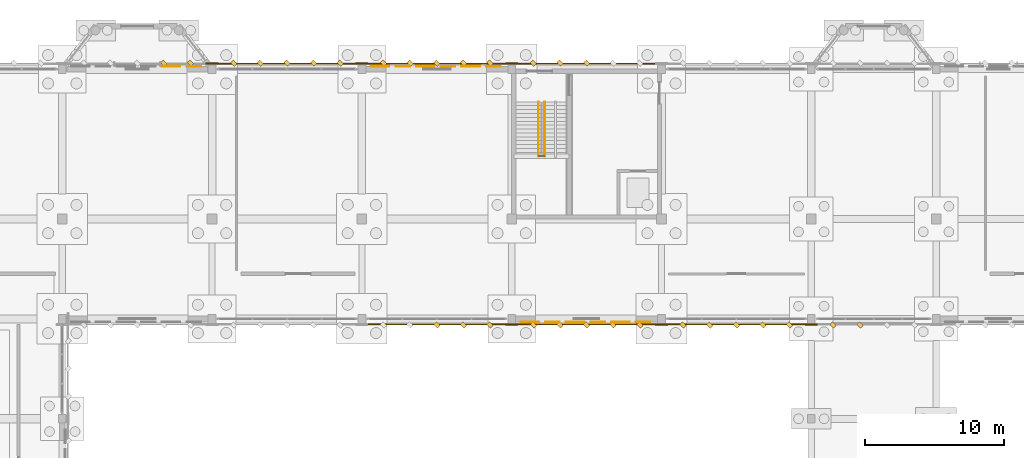
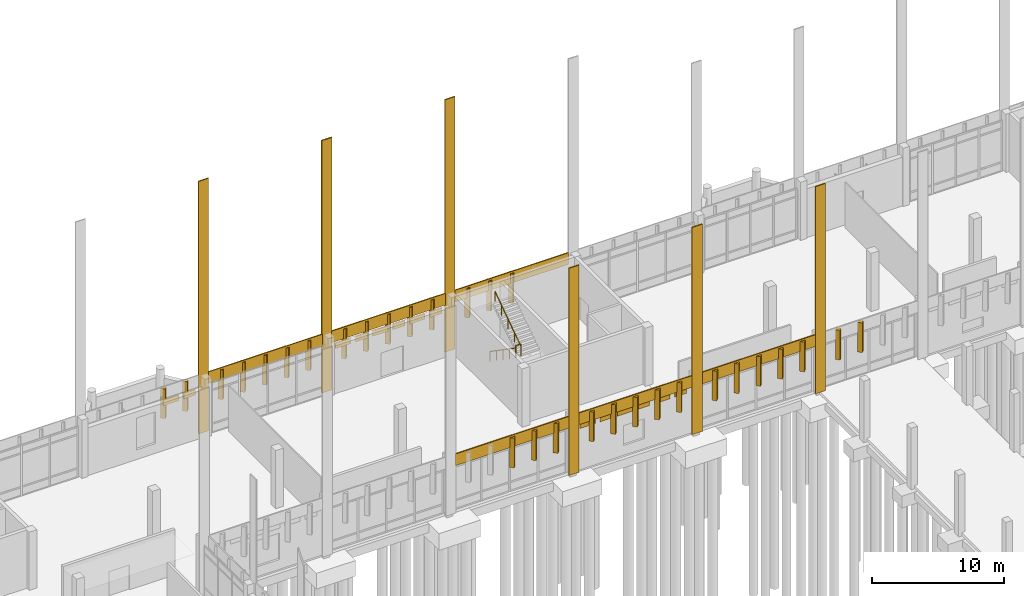
# One storey, part 102 of 109: 56 coverings, 3 railings.
"""IFC4 building model written with IfcOpenShell, lengths in metres."""

from ifc_helpers import new_model, si_unit, direction, frame, origin, origin_2d, place, context, subcontext, project, spatial, rectangle, circle, extrude, material, layer, layer_set, type_object, element, save


model = new_model("IFC4")

# Units and contexts
model_context = context("Model", 3, precision=1e-05, world=origin(), true_north=direction((0.0, 1.0)))
body_context = subcontext(model_context, "Body", "Model", "MODEL_VIEW")
ifc_project = project(units=[si_unit("LENGTHUNIT", "METRE"), si_unit("AREAUNIT", "SQUARE_METRE"), si_unit("VOLUMEUNIT", "CUBIC_METRE"), si_unit("PLANEANGLEUNIT", "RADIAN"), si_unit("MASSUNIT", "GRAM", prefix="KILO")], contexts=[model_context])

# Site, building, storey
site_placement = place(None, origin())
site = spatial("IfcSite", under=ifc_project, at=site_placement, CompositionType="ELEMENT")
building_placement = place(site_placement, origin())
building = spatial("IfcBuilding", under=site, at=building_placement, Name="Lusvemor Sports Hall", CompositionType="ELEMENT")
storey_placement = place(building_placement, origin())
storey = spatial("IfcBuildingStorey", under=building, at=storey_placement, Name="L00", CompositionType="ELEMENT", Elevation=0.0)

# Coverings
ifc_material_1 = material(Name="Precast granite-faced Concrete C40/50 architectural cladding", Category="masonry")
ifc_layer_1 = layer(ifc_material_1, 0.055908203125)
ifc_layer_set_1 = layer_set([ifc_layer_1], Name="Precast granite-faced Concrete C40/50 architectural cladding")
covering_type_1 = type_object("IfcCoveringType", Name="CLAD_RELIEF_FRIEZE", PredefinedType="CLADDING", material=ifc_layer_set_1)
for number, where, z_axis, x_axis, name in (
    (1, (32.39990234375, 115.610107421875, 0.0), (0.0, 0.0, 1.0), (1.0, 0.0, 0.0), "Art Nouveau Pilaster Cladding Casing 492"),
    (2, (43.199951171875, 115.610107421875, 0.0), (0.0, 0.0, 1.0), (1.0, 0.0, 0.0), "Art Nouveau Pilaster Cladding Casing 493"),
    (3, (54.0, 115.610107421875, 0.0), (0.0, 0.0, 1.0), (1.0, 0.0, 0.0), "Art Nouveau Pilaster Cladding Casing 494"),
):
    element("IfcCovering", number, at=place(storey_placement, frame(where, z_axis=z_axis, x_axis=x_axis)), inside=storey, type_object=covering_type_1, Name=name, PredefinedType="CLADDING", context=body_context, shape_type="SweptSolid", body=[
        extrude(rectangle(XDim=0.8798828125, YDim=0.10009765625, at=origin_2d()), origin(), (0.0, 0.0, 1.0), 23.39990234375),
    ])
for number, where, z_axis, x_axis, name in (
    (4, (54.0, 96.7900390625, 0.0), (0.0, 0.0, 1.0), (1.0, 0.0, 0.0), "Art Nouveau Pilaster Cladding Casing 1154"),
    (5, (64.800048828125, 96.7900390625, 0.0), (0.0, 0.0, 1.0), (1.0, 0.0, 0.0), "Art Nouveau Pilaster Cladding Casing 1155"),
    (6, (75.60009765625, 96.7900390625, 0.0), (0.0, 0.0, 1.0), (1.0, 0.0, 0.0), "Art Nouveau Pilaster Cladding Casing 1156"),
):
    element("IfcCovering", number, at=place(storey_placement, frame(where, z_axis=z_axis, x_axis=x_axis)), inside=storey, type_object=covering_type_1, Name=name, PredefinedType="CLADDING", context=body_context, shape_type="SweptSolid", body=[
        extrude(rectangle(XDim=0.8798828125, YDim=0.10009765625, at=origin_2d()), origin(), (0.0, 0.0, 1.0), 19.199951171875),
    ])
ifc_material_2 = material(Name="Emerald polychrome glazed ceramic cladding on Concrete C40/50 backing", Category="concrete")
ifc_layer_2 = layer(ifc_material_2, 0.0458984375)
ifc_layer_set_2 = layer_set([ifc_layer_2], Name="Emerald polychrome glazed ceramic cladding on Concrete C40/50 backing")
covering_type_2 = type_object("IfcCoveringType", Name="CLAD_WAVE_EMERALD", PredefinedType="CLADDING", material=ifc_layer_set_2)
for number, where, z_axis, x_axis, name in (
    (7, (29.449951171875, 115.41796875, 3.8349609375), (0.0, 0.0, 1.0), (1.0, 0.0, 0.0), "Art Nouveau Patterned Cladding PS-EW-L00-N-1-2-5"),
    (8, (44.5166015625, 115.41796875, 3.8349609375), (0.0, 0.0, 1.0), (1.0, 0.0, 0.0), "Art Nouveau Patterned Cladding PS-EW-L00-N-1-4-1"),
    (9, (47.783203125, 115.41796875, 3.8349609375), (0.0, 0.0, 1.0), (1.0, 0.0, 0.0), "Art Nouveau Patterned Cladding PS-EW-L00-N-1-4-3"),
    (10, (51.050048828125, 115.41796875, 3.8349609375), (0.0, 0.0, 1.0), (1.0, 0.0, 0.0), "Art Nouveau Patterned Cladding PS-EW-L00-N-1-4-5"),
    (11, (55.316650390625, 96.98193359375, 3.8349609375), (0.0, 0.0, 1.0), (1.0, 0.0, 0.0), "Art Nouveau Patterned Cladding PS-EW-L00-S-3-3-1"),
    (12, (58.583251953125, 96.98193359375, 3.8349609375), (0.0, 0.0, 1.0), (1.0, 0.0, 0.0), "Art Nouveau Patterned Cladding PS-EW-L00-S-3-3-3"),
    (13, (61.85009765625, 96.98193359375, 3.8349609375), (0.0, 0.0, 1.0), (1.0, 0.0, 0.0), "Art Nouveau Patterned Cladding PS-EW-L00-S-3-3-5"),
):
    element("IfcCovering", number, at=place(storey_placement, frame(where, z_axis=z_axis, x_axis=x_axis)), inside=storey, type_object=covering_type_2, Name=name, PredefinedType="CLADDING", context=body_context, shape_type="SweptSolid", body=[
        extrude(rectangle(XDim=1.33935546875, YDim=0.0458984375, at=origin_2d()), origin(), (0.0, 0.0, 1.0), 0.510009765625),
    ])
for number, where, z_axis, x_axis, name in (
    (14, (28.919921875, 115.639892578125, 2.550048828125), (0.0, 0.0, 1.0), (0.707106781187, 0.707106781187, 0.0), "Patterned Diamond Cladding Rib 560"),
    (15, (35.8798828125, 115.639892578125, 2.550048828125), (0.0, 0.0, 1.0), (0.707106781187, 0.707106781187, 0.0), "Patterned Diamond Cladding Rib 588"),
    (16, (39.719970703125, 115.639892578125, 2.550048828125), (0.0, 0.0, 1.0), (0.707106781187, 0.707106781187, 0.0), "Patterned Diamond Cladding Rib 590"),
    (17, (46.679931640625, 115.639892578125, 2.550048828125), (0.0, 0.0, 1.0), (0.707106781187, 0.707106781187, 0.0), "Patterned Diamond Cladding Rib 618"),
    (18, (50.52001953125, 115.639892578125, 2.550048828125), (0.0, 0.0, 1.0), (0.707106781187, 0.707106781187, 0.0), "Patterned Diamond Cladding Rib 620"),
    (19, (57.47998046875, 115.639892578125, 2.550048828125), (0.0, 0.0, 1.0), (0.707106781187, 0.707106781187, 0.0), "Patterned Diamond Cladding Rib 648"),
    (20, (50.52001953125, 96.760009765625, 2.550048828125), (0.0, 0.0, 1.0), (0.707106781187, 0.707106781187, 0.0), "Patterned Diamond Cladding Rib 1214"),
    (21, (57.47998046875, 96.760009765625, 2.550048828125), (0.0, 0.0, 1.0), (0.707106781187, 0.707106781187, 0.0), "Patterned Diamond Cladding Rib 1236"),
    (22, (61.320068359375, 96.760009765625, 2.550048828125), (0.0, 0.0, 1.0), (0.707106781187, 0.707106781187, 0.0), "Patterned Diamond Cladding Rib 1238"),
    (23, (68.280029296875, 96.760009765625, 2.550048828125), (0.0, 0.0, 1.0), (0.707106781187, 0.707106781187, 0.0), "Patterned Diamond Cladding Rib 1260"),
    (24, (72.1201171875, 96.760009765625, 2.550048828125), (0.0, 0.0, 1.0), (0.707106781187, 0.707106781187, 0.0), "Patterned Diamond Cladding Rib 1262"),
    (25, (79.125, 96.760009765625, 2.550048828125), (0.0, 0.0, 1.0), (0.707106781187, 0.707106781187, 0.0), "Patterned Diamond Cladding Rib 1284"),
):
    element("IfcCovering", number, at=place(storey_placement, frame(where, z_axis=z_axis, x_axis=x_axis)), inside=storey, type_object=covering_type_2, Name=name, PredefinedType="CLADDING", context=body_context, shape_type="SweptSolid", body=[
        extrude(rectangle(XDim=0.280029296875, YDim=0.3798828125, at=origin_2d()), origin(), (0.0, 0.0, 1.0), 2.75),
    ])
ifc_material_3 = material(Name="Warm terracotta Art Nouveau ceramic cladding on Concrete C40/50 backing", Category="masonry")
ifc_layer_3 = layer(ifc_material_3, 0.0380859375)
ifc_layer_set_3 = layer_set([ifc_layer_3], Name="Warm terracotta Art Nouveau ceramic cladding on Concrete C40/50 backing")
covering_type_3 = type_object("IfcCoveringType", Name="CLAD_WAVE_OCHRE", PredefinedType="CLADDING", material=ifc_layer_set_3)
for number, where, z_axis, x_axis, name in (
    (26, (31.083251953125, 115.4140625, 3.8349609375), (0.0, 0.0, 1.0), (1.0, 0.0, 0.0), "Art Nouveau Patterned Cladding PS-EW-L00-N-1-2-6"),
    (27, (46.14990234375, 115.4140625, 3.8349609375), (0.0, 0.0, 1.0), (1.0, 0.0, 0.0), "Art Nouveau Patterned Cladding PS-EW-L00-N-1-4-2"),
    (28, (49.416748046875, 115.4140625, 3.8349609375), (0.0, 0.0, 1.0), (1.0, 0.0, 0.0), "Art Nouveau Patterned Cladding PS-EW-L00-N-1-4-4"),
    (29, (52.683349609375, 115.4140625, 3.8349609375), (0.0, 0.0, 1.0), (1.0, 0.0, 0.0), "Art Nouveau Patterned Cladding PS-EW-L00-N-1-4-6"),
    (30, (56.949951171875, 96.986083984375, 3.8349609375), (0.0, 0.0, 1.0), (1.0, 0.0, 0.0), "Art Nouveau Patterned Cladding PS-EW-L00-S-3-3-2"),
    (31, (60.216796875, 96.986083984375, 3.8349609375), (0.0, 0.0, 1.0), (1.0, 0.0, 0.0), "Art Nouveau Patterned Cladding PS-EW-L00-S-3-3-4"),
    (32, (63.4833984375, 96.986083984375, 3.8349609375), (0.0, 0.0, 1.0), (1.0, 0.0, 0.0), "Art Nouveau Patterned Cladding PS-EW-L00-S-3-3-6"),
):
    element("IfcCovering", number, at=place(storey_placement, frame(where, z_axis=z_axis, x_axis=x_axis)), inside=storey, type_object=covering_type_3, Name=name, PredefinedType="CLADDING", context=body_context, shape_type="SweptSolid", body=[
        extrude(rectangle(XDim=1.04541015625, YDim=0.0380859375, at=origin_2d()), origin(), (0.0, 0.0, 1.0), 0.510009765625),
    ])
for number, where, z_axis, x_axis, name in (
    (33, (37.800048828125, 115.590087890625, 4.3798828125), (0.0, 0.0, 1.0), (1.0, 0.0, 0.0), "Art Nouveau Spandrel Cornice 586"),
    (34, (48.60009765625, 115.590087890625, 4.3798828125), (0.0, 0.0, 1.0), (1.0, 0.0, 0.0), "Art Nouveau Spandrel Cornice 616"),
    (35, (59.39990234375, 115.590087890625, 4.3798828125), (0.0, 0.0, 1.0), (1.0, 0.0, 0.0), "Art Nouveau Spandrel Cornice 646"),
    (36, (48.60009765625, 96.81005859375, 4.3798828125), (0.0, 0.0, 1.0), (1.0, 0.0, 0.0), "Art Nouveau Spandrel Cornice 1210"),
    (37, (59.39990234375, 96.81005859375, 4.3798828125), (0.0, 0.0, 1.0), (1.0, 0.0, 0.0), "Art Nouveau Spandrel Cornice 1234"),
    (38, (70.199951171875, 96.81005859375, 4.3798828125), (0.0, 0.0, 1.0), (1.0, 0.0, 0.0), "Art Nouveau Spandrel Cornice 1258"),
):
    element("IfcCovering", number, at=place(storey_placement, frame(where, z_axis=z_axis, x_axis=x_axis)), inside=storey, type_object=covering_type_3, Name=name, PredefinedType="CLADDING", context=body_context, shape_type="SweptSolid", body=[
        extrude(rectangle(XDim=9.97998046875, YDim=0.090087890625, at=origin_2d()), origin(), (0.0, 0.0, 1.0), 1.080078125),
    ])
ifc_material_4 = material(Name="Warm terracotta Art Nouveau ceramic cladding on Concrete C40/50 backing", Category="masonry")
ifc_layer_4 = layer(ifc_material_4, 0.449951171875)
ifc_layer_set_4 = layer_set([ifc_layer_4], Name="Warm terracotta Art Nouveau ceramic cladding on Concrete C40/50 backing")
covering_type_4 = type_object("IfcCoveringType", Name="FIN_BRISE_CER_450", PredefinedType="MOLDING", material=ifc_layer_set_4)
for number, where, z_axis, x_axis, name in (
    (39, (30.840087890625, 115.639892578125, 2.550048828125), (0.0, 0.0, 1.0), (0.707106781187, 0.707106781187, 0.0), "Patterned Diamond Cladding Rib 561"),
    (40, (33.9599609375, 115.639892578125, 2.550048828125), (0.0, 0.0, 1.0), (0.707106781187, 0.707106781187, 0.0), "Patterned Diamond Cladding Rib 587"),
    (41, (37.800048828125, 115.639892578125, 2.550048828125), (0.0, 0.0, 1.0), (0.707106781187, 0.707106781187, 0.0), "Patterned Diamond Cladding Rib 589"),
    (42, (41.639892578125, 115.639892578125, 2.550048828125), (0.0, 0.0, 1.0), (0.707106781187, 0.707106781187, 0.0), "Patterned Diamond Cladding Rib 591"),
    (43, (44.760009765625, 115.639892578125, 2.550048828125), (0.0, 0.0, 1.0), (0.707106781187, 0.707106781187, 0.0), "Patterned Diamond Cladding Rib 617"),
    (44, (48.60009765625, 115.639892578125, 2.550048828125), (0.0, 0.0, 1.0), (0.707106781187, 0.707106781187, 0.0), "Patterned Diamond Cladding Rib 619"),
    (45, (52.43994140625, 115.639892578125, 2.550048828125), (0.0, 0.0, 1.0), (0.707106781187, 0.707106781187, 0.0), "Patterned Diamond Cladding Rib 621"),
    (46, (55.56005859375, 115.639892578125, 2.550048828125), (0.0, 0.0, 1.0), (0.707106781187, 0.707106781187, 0.0), "Patterned Diamond Cladding Rib 647"),
    (47, (59.39990234375, 115.639892578125, 2.550048828125), (0.0, 0.0, 1.0), (0.707106781187, 0.707106781187, 0.0), "Patterned Diamond Cladding Rib 649"),
    (48, (48.60009765625, 96.760009765625, 2.550048828125), (0.0, 0.0, 1.0), (0.707106781187, 0.707106781187, 0.0), "Patterned Diamond Cladding Rib 1213"),
    (49, (52.43994140625, 96.760009765625, 2.550048828125), (0.0, 0.0, 1.0), (0.707106781187, 0.707106781187, 0.0), "Patterned Diamond Cladding Rib 1215"),
    (50, (55.56005859375, 96.760009765625, 2.550048828125), (0.0, 0.0, 1.0), (0.707106781187, 0.707106781187, 0.0), "Patterned Diamond Cladding Rib 1235"),
    (51, (59.39990234375, 96.760009765625, 2.550048828125), (0.0, 0.0, 1.0), (0.707106781187, 0.707106781187, 0.0), "Patterned Diamond Cladding Rib 1237"),
    (52, (63.239990234375, 96.760009765625, 2.550048828125), (0.0, 0.0, 1.0), (0.707106781187, 0.707106781187, 0.0), "Patterned Diamond Cladding Rib 1239"),
    (53, (66.360107421875, 96.760009765625, 2.550048828125), (0.0, 0.0, 1.0), (0.707106781187, 0.707106781187, 0.0), "Patterned Diamond Cladding Rib 1259"),
    (54, (70.199951171875, 96.760009765625, 2.550048828125), (0.0, 0.0, 1.0), (0.707106781187, 0.707106781187, 0.0), "Patterned Diamond Cladding Rib 1261"),
    (55, (74.0400390625, 96.760009765625, 2.550048828125), (0.0, 0.0, 1.0), (0.707106781187, 0.707106781187, 0.0), "Patterned Diamond Cladding Rib 1263"),
    (56, (77.175048828125, 96.760009765625, 2.550048828125), (0.0, 0.0, 1.0), (0.707106781187, 0.707106781187, 0.0), "Patterned Diamond Cladding Rib 1283"),
):
    element("IfcCovering", number, at=place(storey_placement, frame(where, z_axis=z_axis, x_axis=x_axis)), inside=storey, type_object=covering_type_4, Name=name, PredefinedType="MOLDING", context=body_context, shape_type="SweptSolid", body=[
        extrude(rectangle(XDim=0.280029296875, YDim=0.3798828125, at=origin_2d()), origin(), (0.0, 0.0, 1.0), 2.75),
    ])

# Railings
ifc_material_5 = material(Name="Bronze-finished wrought-steel Art Nouveau balustrade", Category="steel")
railing_type_1 = type_object("IfcRailingType", Name="RAIL_HANDRAIL_092", PredefinedType="HANDRAIL", material=ifc_material_5)
railing_1_placement = place(storey_placement, frame((55.93994140625, 112.85009765625, 0.0)))
element("IfcRailing", 57, at=railing_1_placement, inside=storey, type_object=railing_type_1, Name="Stair STR-C2-L00 Handrail F1", PredefinedType="HANDRAIL", context=body_context, shape_type="SweptSolid", body=[
    extrude(circle(Radius=0.02392578125, at=origin_2d()), frame((0.0, 0.0, 0.89599609375), z_axis=(0.0, -0.823567234665, 0.567218661528), x_axis=(1.0, 0.0, 0.0)), (0.0, 0.0, 1.0), 4.760009765625),
    extrude(circle(Radius=0.02099609375, at=origin_2d()), origin(), (0.0, 0.0, 1.0), 0.871826171875),
    extrude(circle(Radius=0.02099609375, at=origin_2d()), frame((0.0, -0.97998046875, 0.675048828125)), (0.0, 0.0, 1.0), 0.871826171875),
    extrude(circle(Radius=0.02099609375, at=origin_2d()), frame((0.0, -1.9599609375, 1.35009765625)), (0.0, 0.0, 1.0), 0.871826171875),
    extrude(circle(Radius=0.02099609375, at=origin_2d()), frame((0.0, -2.940185546875, 2.02490234375)), (0.0, 0.0, 1.0), 0.871826171875),
    extrude(circle(Radius=0.02099609375, at=origin_2d()), frame((0.0, -3.920166015625, 2.699951171875)), (0.0, 0.0, 1.0), 0.871826171875),
])
railing_2_placement = place(storey_placement, frame((56.3798828125, 108.929931640625, 2.699951171875)))
element("IfcRailing", 58, at=railing_2_placement, inside=storey, type_object=railing_type_1, Name="Stair STR-C2-L00 Handrail F2", PredefinedType="HANDRAIL", context=body_context, shape_type="SweptSolid", body=[
    extrude(circle(Radius=0.02392578125, at=origin_2d()), frame((0.0, 0.0, 0.89599609375), z_axis=(0.0, 0.823567234665, 0.567218661528), x_axis=(-1.0, 0.0, 0.0)), (0.0, 0.0, 1.0), 4.760009765625),
    extrude(circle(Radius=0.02099609375, at=origin_2d()), origin(), (0.0, 0.0, 1.0), 0.871826171875),
    extrude(circle(Radius=0.02099609375, at=origin_2d()), frame((0.0, 0.97998046875, 0.675048828125)), (0.0, 0.0, 1.0), 0.871826171875),
    extrude(circle(Radius=0.02099609375, at=origin_2d()), frame((0.0, 1.9599609375, 1.35009765625)), (0.0, 0.0, 1.0), 0.871826171875),
    extrude(circle(Radius=0.02099609375, at=origin_2d()), frame((0.0, 2.940185546875, 2.02490234375)), (0.0, 0.0, 1.0), 0.871826171875),
    extrude(circle(Radius=0.02099609375, at=origin_2d()), frame((0.0, 3.920166015625, 2.699951171875)), (0.0, 0.0, 1.0), 0.871826171875),
])
ifc_material_6 = material(Name="Bronze-finished wrought-steel Art Nouveau balustrade", Category="steel")
railing_type_2 = type_object("IfcRailingType", Name="RAIL_STAIR_GUARD_112", PredefinedType="GUARDRAIL", material=ifc_material_6)
railing_3_placement = place(storey_placement, frame((55.93994140625, 108.949951171875, 2.699951171875)))
element("IfcRailing", 59, at=railing_3_placement, inside=storey, type_object=railing_type_2, Name="Stair STR-C2-L00 Mid Well Guard", PredefinedType="GUARDRAIL", context=body_context, shape_type="SweptSolid", body=[
    extrude(circle(Radius=0.02392578125, at=origin_2d()), frame((0.0, 0.0, 1.09619140625), z_axis=(1.0, 0.0, 0.0), x_axis=(0.0, 1.0, 0.0)), (0.0, 0.0, 1.0), 0.43994140625),
    extrude(circle(Radius=0.02099609375, at=origin_2d()), origin(), (0.0, 0.0, 1.0), 1.072021484375),
    extrude(circle(Radius=0.02099609375, at=origin_2d()), frame((0.43994140625, 0.0, 0.0)), (0.0, 0.0, 1.0), 1.072021484375),
])

save(model, "model.ifc")
